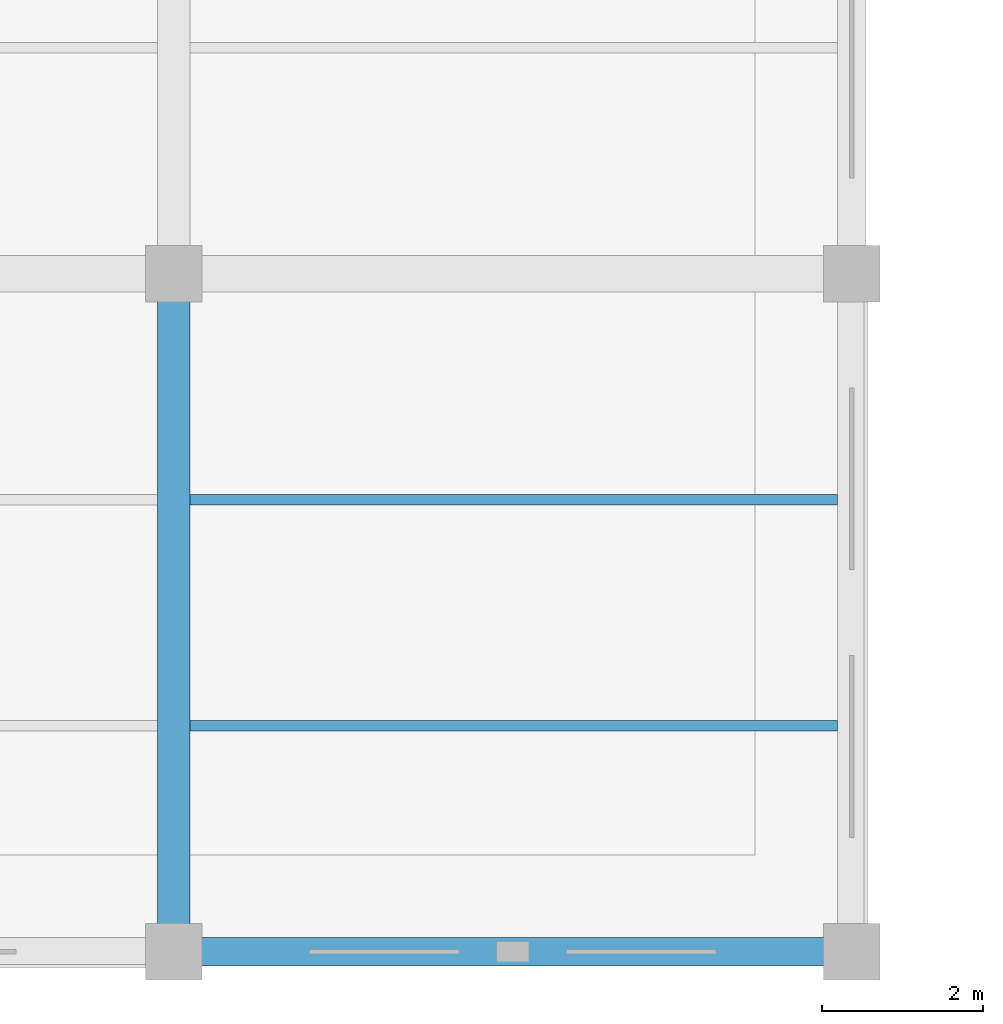
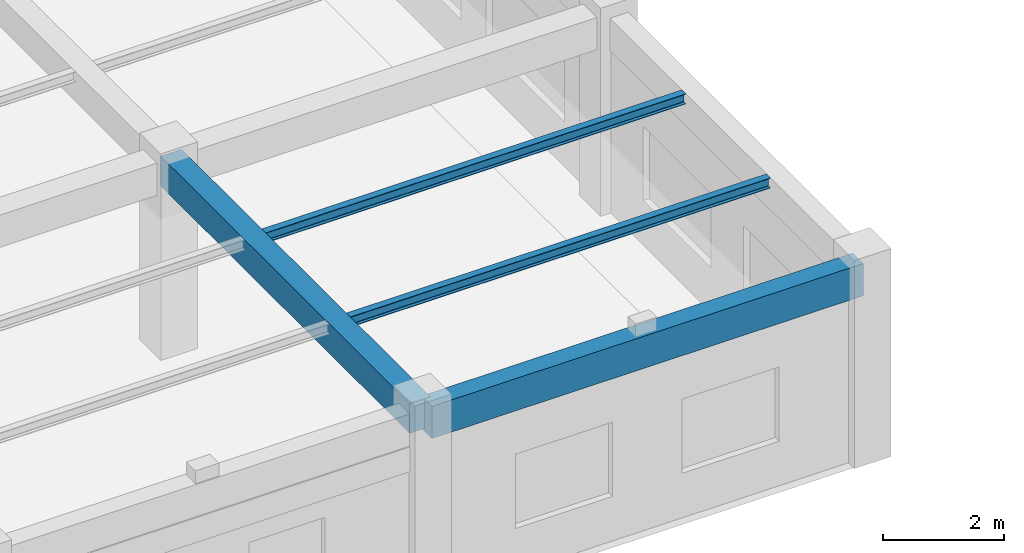
# One storey, part 17 of 152: 4 beams.
"""IFC4 building model written with IfcOpenShell, lengths in metres."""

from ifc_helpers import new_model, si_unit, direction, frame, origin, origin_2d, place, context, subcontext, project, spatial, rectangle, i_section, extrude, material, material_profile, profile_set, type_object, element, save


model = new_model("IFC4")

# Units and contexts
model_context = context("Model", 3, precision=1e-05, world=origin(), true_north=direction((0.0, 1.0)))
body_context = subcontext(model_context, "Body", "Model", "MODEL_VIEW")
ifc_project = project(units=[si_unit("LENGTHUNIT", "METRE"), si_unit("AREAUNIT", "SQUARE_METRE"), si_unit("VOLUMEUNIT", "CUBIC_METRE"), si_unit("PLANEANGLEUNIT", "RADIAN"), si_unit("MASSUNIT", "GRAM", prefix="KILO"), si_unit("THERMODYNAMICTEMPERATUREUNIT", "KELVIN"), si_unit("POWERUNIT", "WATT")], contexts=[model_context])

# Site, building, storey
site_placement = place(None, origin())
site = spatial("IfcSite", under=ifc_project, at=site_placement, CompositionType="ELEMENT")
building_placement = place(site_placement, origin())
building = spatial("IfcBuilding", under=site, at=building_placement, Name="Darbajah Civic Hall", CompositionType="ELEMENT")
storey_placement = place(building_placement, frame((0.0, 0.0, 5.39990234375)))
storey = spatial("IfcBuildingStorey", under=building, at=storey_placement, Name="L01", CompositionType="ELEMENT", Elevation=5.39990234375)

# Beams
ifc_material_1 = material(Name="Concrete C45/55", Category="concrete")
ifc_material_profile_1 = material_profile(ifc_material_1, rectangle(XDim=0.39990234375, YDim=0.60009765625, at=origin_2d()), Name="RC BEAM 400x600")
ifc_profile_set_1 = profile_set([ifc_material_profile_1], Name="Concrete C45/55")
beam_type_1 = type_object("IfcBeamType", Name="RC BEAM 400x600", PredefinedType="BEAM", material=ifc_profile_set_1)
beam_1_placement = place(storey_placement, frame((58.800048828125, 0.080078125, 3.64013671875), z_axis=(0.0, 1.0, 0.0), x_axis=(-1.0, 0.0, 0.0)))
element("IfcBeam", 1, at=beam_1_placement, inside=storey, type_object=beam_type_1, Name="L01 beam BM-4060", PredefinedType="BEAM", context=body_context, shape_type="SweptSolid", body=[
    extrude(rectangle(XDim=0.39990234375, YDim=0.60009765625, at=origin_2d()), origin(), (0.0, 0.0, 1.0), 8.239990234375),
])
ifc_material_profile_2 = material_profile(ifc_material_1, rectangle(XDim=0.35009765625, YDim=0.64990234375, at=origin_2d()), Name="RC SPANDREL 350x650")
ifc_profile_set_2 = profile_set([ifc_material_profile_2], Name="Concrete C45/55")
beam_type_2 = type_object("IfcBeamType", Name="RC SPANDREL 350x650", PredefinedType="SPANDREL", material=ifc_profile_set_2)
beam_2_placement = place(storey_placement, frame((58.8798828125, 0.0, 3.614990234375), z_axis=(1.0, 0.0, 0.0), x_axis=(0.0, 1.0, 0.0)))
element("IfcBeam", 2, at=beam_2_placement, inside=storey, type_object=beam_type_2, Name="L01 beam SP-3565", PredefinedType="SPANDREL", context=body_context, shape_type="SweptSolid", body=[
    extrude(rectangle(XDim=0.35009765625, YDim=0.64990234375, at=origin_2d()), origin(), (0.0, 0.0, 1.0), 8.240234375),
])
ifc_material_2 = material(Name="Steel S355JR", Category="steel")
ifc_material_profile_3 = material_profile(ifc_material_2, i_section(OverallWidth=0.1337890625, OverallDepth=0.206787109375, WebThickness=0.00634765625, FlangeThickness=0.009521484375, FilletRadius=0.007568359375, at=origin_2d()), Name="UB 203x133x30")
ifc_profile_set_3 = profile_set([ifc_material_profile_3], Name="Steel S355JR")
beam_type_3 = type_object("IfcBeamType", Name="UB 203x133x30", PredefinedType="JOIST", material=ifc_profile_set_3)
for number, where, z_axis, x_axis, name in (
    (3, (59.0, 2.800048828125, 3.836669921875), (1.0, 0.0, 0.0), (0.0, 1.0, 0.0), "L01 beam SJ-203"),
    (4, (59.0, 5.60009765625, 3.836669921875), (1.0, 0.0, 0.0), (0.0, 1.0, 0.0), "L01 beam SJ-203"),
):
    element("IfcBeam", number, at=place(storey_placement, frame(where, z_axis=z_axis, x_axis=x_axis)), inside=storey, type_object=beam_type_3, Name=name, PredefinedType="JOIST", context=body_context, shape_type="SweptSolid", body=[
        extrude(i_section(OverallWidth=0.1337890625, OverallDepth=0.206787109375, WebThickness=0.00634765625, FlangeThickness=0.009521484375, FilletRadius=0.007568359375, at=origin_2d()), origin(), (0.0, 0.0, 1.0), 8.02490234375),
    ])

save(model, "model.ifc")
